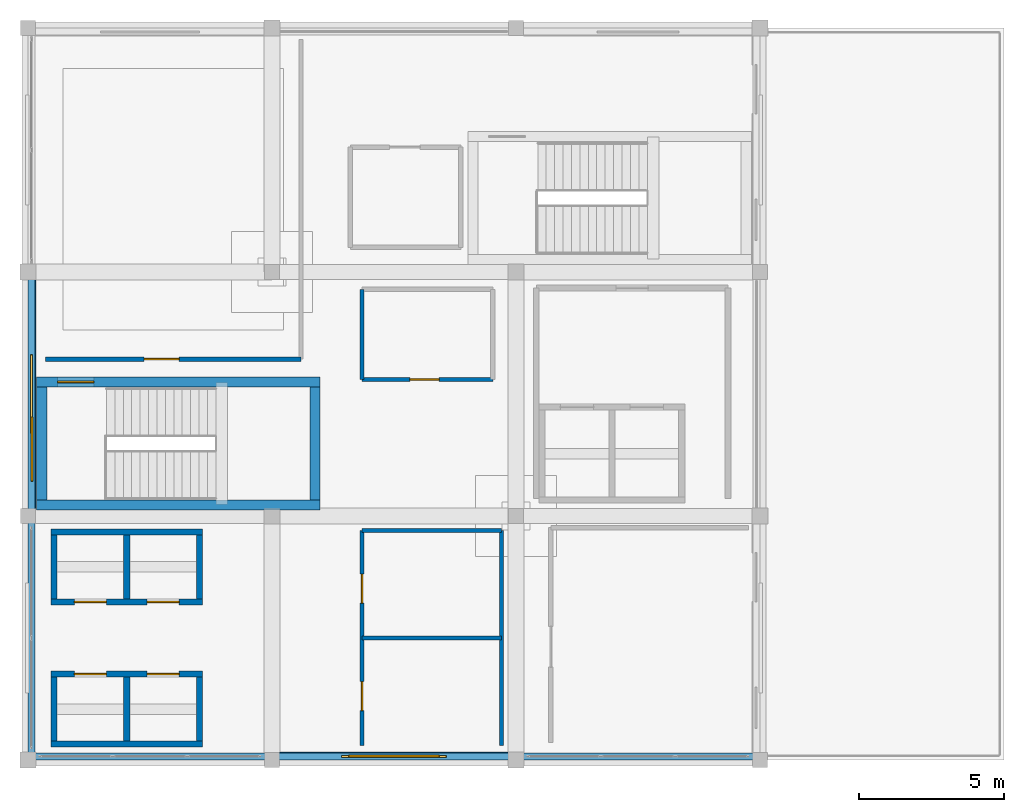
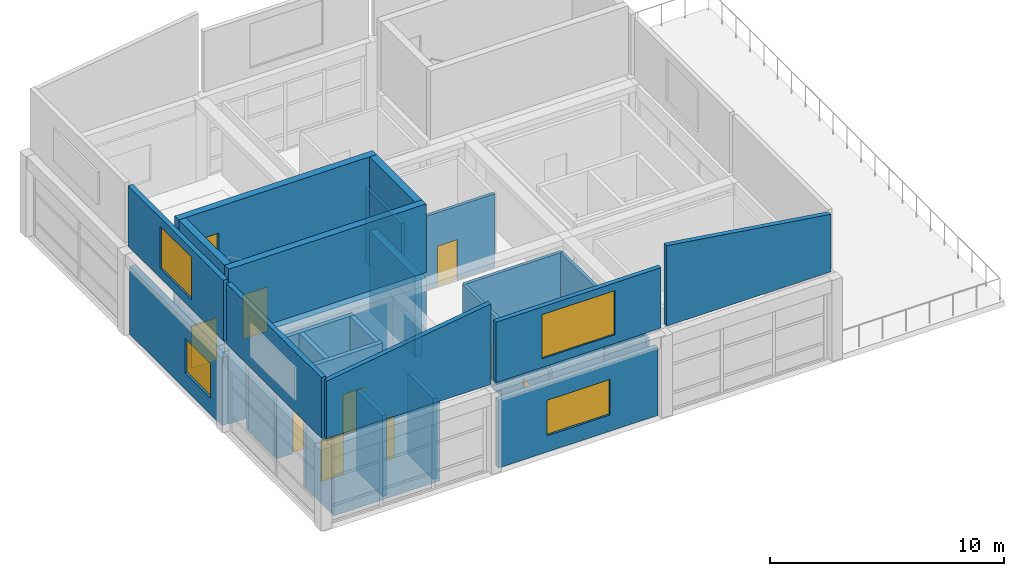
# One storey, part 14 of 17: 32 walls, 10 doors, 4 windows, 14 openings.
"""IFC4 building model written with IfcOpenShell, lengths in metres."""

from ifc_helpers import new_model, si_unit, direction, frame, frame_2d, origin, place, context, subcontext, project, spatial, polyline, rectangle, outline, extrude, material, layer, layer_set, type_object, element, fill, save


model = new_model("IFC4")

# Units and contexts
model_context = context("Model", 3, precision=1e-05, world=origin(), true_north=direction((0.0, 1.0)))
body_context = subcontext(model_context, "Body", "Model", "MODEL_VIEW")
ifc_project = project(units=[si_unit("LENGTHUNIT", "METRE"), si_unit("AREAUNIT", "SQUARE_METRE"), si_unit("VOLUMEUNIT", "CUBIC_METRE"), si_unit("PLANEANGLEUNIT", "RADIAN"), si_unit("MASSUNIT", "GRAM", prefix="KILO")], contexts=[model_context])

# Site, building, storey
site_placement = place(None, origin())
site = spatial("IfcSite", under=ifc_project, at=site_placement, CompositionType="ELEMENT")
building_placement = place(site_placement, origin())
building = spatial("IfcBuilding", under=site, at=building_placement, Name="Almacenes y Pasaje Nevantli", CompositionType="ELEMENT")
storey_placement = place(building_placement, frame((0.0, 0.0, 66.699951171875)))
storey = spatial("IfcBuildingStorey", under=building, at=storey_placement, Name="L16", CompositionType="ELEMENT", Elevation=66.699951171875)

# Wall
ifc_material_1 = material(Name="Concrete C45/55", Category="concrete")
ifc_layer_1 = layer(ifc_material_1, 0.35009765625)
ifc_layer_set_1 = layer_set([ifc_layer_1], Name="Concrete C45/55")
wall_type_1 = type_object("IfcWallType", Name="WL-CORE-350", PredefinedType="SHEAR", material=ifc_layer_set_1)
wall_1_placement = place(storey_placement, frame((117.89990234375, 75.97509765625, 0.0), z_axis=(0.0, 0.0, 1.0), x_axis=(1.0, 0.0, 0.0)))
element("IfcWall", 1, at=wall_1_placement, inside=storey, type_object=wall_type_1, Name="L16 Exit Stair ST-01 South Core Shear Wall", PredefinedType="SHEAR", context=body_context, shape_type="SweptSolid", body=[
    extrude(rectangle(XDim=9.75, YDim=0.35009765625, at=frame_2d((4.875, 0.0))), origin(), (0.0, 0.0, 1.0), 4.219970703125),
])

# Wall, opening, door
wall_2_placement = place(storey_placement, frame((117.89990234375, 80.215087890625, 0.0), z_axis=(0.0, 0.0, 1.0), x_axis=(1.0, 0.0, 0.0)))
wall_2 = element("IfcWall", 2, at=wall_2_placement, inside=storey, type_object=wall_type_1, Name="L16 Exit Stair ST-01 North Core Shear Wall", PredefinedType="SHEAR", context=body_context, shape_type="SweptSolid", body=[
    extrude(rectangle(XDim=9.75, YDim=0.35009765625, at=frame_2d((4.875, 0.0))), origin(), (0.0, 0.0, 1.0), 4.219970703125),
])
opening_1_placement = place(wall_2_placement, frame((0.719970703125, 0.0, 0.0)))
opening_1 = element("IfcOpeningElement", 3, at=opening_1_placement, cuts=wall_2, Name="Opening SD-01-L16", PredefinedType="OPENING", context=body_context, shape_type="SweptSolid", body=[
    extrude(rectangle(XDim=1.25, YDim=2.199951171875, at=frame_2d((0.625, 1.10009765625))), frame((0.0, 0.18505859375, 0.0), z_axis=(0.0, -1.0, 0.0), x_axis=(1.0, 0.0, 0.0)), (0.0, 0.0, 1.0), 0.3701171875),
])
ifc_material_2 = material(Name="Galvanized Fire-Rated Steel", Category="steel")
door_type_1 = type_object("IfcDoorType", Name="DR-STAIR-1250", OperationType="SINGLE_SWING_LEFT", PredefinedType="DOOR", material=ifc_material_2)
door_1_placement = place(opening_1_placement, origin())
door_1 = element("IfcDoor", 4, at=door_1_placement, inside=storey, type_object=door_type_1, Name="L16 Smokeproof Exit Stair ST-01 Fire Door", OperationType="SINGLE_SWING_LEFT", OverallHeight=2.199951171875, OverallWidth=1.25, PredefinedType="DOOR", context=body_context, shape_type="SweptSolid", body=[
    extrude(rectangle(XDim=1.25, YDim=2.199951171875, at=frame_2d((0.625, 1.10009765625))), frame((0.0, 0.02490234375, 0.0), z_axis=(0.0, -1.0, 0.0), x_axis=(1.0, 0.0, 0.0)), (0.0, 0.0, 1.0), 0.050048828125),
])
fill(opening_1, door_1)

# Walls
for number, where, z_axis, x_axis, name in (
    (5, (118.074951171875, 76.14990234375, 0.0), (0.0, 0.0, 1.0), (0.0, 1.0, 0.0), "L16 Exit Stair ST-01 West Core Shear Wall"),
    (6, (127.47509765625, 76.14990234375, 0.0), (0.0, 0.0, 1.0), (0.0, 1.0, 0.0), "L16 Exit Stair ST-01 East Core Shear Wall"),
):
    element("IfcWall", number, at=place(storey_placement, frame(where, z_axis=z_axis, x_axis=x_axis)), inside=storey, type_object=wall_type_1, Name=name, PredefinedType="SHEAR", context=body_context, shape_type="SweptSolid", body=[
        extrude(rectangle(XDim=3.89013671875, YDim=0.35009765625, at=frame_2d((1.945068359375, 0.0))), origin(), (0.0, 0.0, 1.0), 4.219970703125),
    ])
wall_3_placement = place(storey_placement, frame((117.89990234375, 75.97509765625, 4.5), z_axis=(0.0, 0.0, 1.0), x_axis=(1.0, 0.0, 0.0)))
element("IfcWall", 7, at=wall_3_placement, inside=storey, type_object=wall_type_1, Name="L16 Crown Stair ST-01 Headhouse South Wall", PredefinedType="SHEAR", context=body_context, shape_type="SweptSolid", body=[
    extrude(rectangle(XDim=9.75, YDim=0.35009765625, at=frame_2d((4.875, 0.0))), origin(), (0.0, 0.0, 1.0), 3.580078125),
])

# Wall, opening, door
wall_4_placement = place(storey_placement, frame((117.89990234375, 80.215087890625, 4.5), z_axis=(0.0, 0.0, 1.0), x_axis=(1.0, 0.0, 0.0)))
wall_4 = element("IfcWall", 8, at=wall_4_placement, inside=storey, type_object=wall_type_1, Name="L16 Crown Stair ST-01 Headhouse North Wall", PredefinedType="SHEAR", context=body_context, shape_type="SweptSolid", body=[
    extrude(rectangle(XDim=9.75, YDim=0.35009765625, at=frame_2d((4.875, 0.0))), origin(), (0.0, 0.0, 1.0), 3.580078125),
])
opening_2_placement = place(wall_4_placement, frame((0.719970703125, 0.0, 0.0)))
opening_2 = element("IfcOpeningElement", 9, at=opening_2_placement, cuts=wall_4, Name="Opening SD-01-CR", PredefinedType="OPENING", context=body_context, shape_type="SweptSolid", body=[
    extrude(rectangle(XDim=1.25, YDim=2.199951171875, at=frame_2d((0.625, 1.10009765625))), frame((0.0, 0.18505859375, 0.0), z_axis=(0.0, -1.0, 0.0), x_axis=(1.0, 0.0, 0.0)), (0.0, 0.0, 1.0), 0.3701171875),
])
door_2_placement = place(opening_2_placement, origin())
door_2 = element("IfcDoor", 10, at=door_2_placement, inside=storey, type_object=door_type_1, Name="L16 Crown Mechanical Penthouse Stair ST-01 Door", OperationType="SINGLE_SWING_LEFT", OverallHeight=2.199951171875, OverallWidth=1.25, PredefinedType="DOOR", context=body_context, shape_type="SweptSolid", body=[
    extrude(rectangle(XDim=1.25, YDim=2.199951171875, at=frame_2d((0.625, 1.10009765625))), frame((0.0, 0.02490234375, 0.0), z_axis=(0.0, -1.0, 0.0), x_axis=(1.0, 0.0, 0.0)), (0.0, 0.0, 1.0), 0.050048828125),
])
fill(opening_2, door_2)

# Walls
for number, where, z_axis, x_axis, name in (
    (11, (118.074951171875, 76.14990234375, 4.5), (0.0, 0.0, 1.0), (0.0, 1.0, 0.0), "L16 Crown Stair ST-01 Headhouse West Wall"),
    (12, (127.47509765625, 76.14990234375, 4.5), (0.0, 0.0, 1.0), (0.0, 1.0, 0.0), "L16 Crown Stair ST-01 Headhouse East Wall"),
):
    element("IfcWall", number, at=place(storey_placement, frame(where, z_axis=z_axis, x_axis=x_axis)), inside=storey, type_object=wall_type_1, Name=name, PredefinedType="SHEAR", context=body_context, shape_type="SweptSolid", body=[
        extrude(rectangle(XDim=3.89013671875, YDim=0.35009765625, at=frame_2d((1.945068359375, 0.0))), origin(), (0.0, 0.0, 1.0), 3.580078125),
    ])

# Wall, opening, window
ifc_material_3 = material(Name="Architectural Precast Concrete C35/45 Spandrel Wall", Category="concrete")
ifc_layer_2 = layer(ifc_material_3, 0.280029296875)
ifc_layer_set_2 = layer_set([ifc_layer_2], Name="Architectural Precast Concrete C35/45 Spandrel Wall")
wall_type_2 = type_object("IfcWallType", Name="WL-EXT-CANTERA-280", PredefinedType="SOLIDWALL", material=ifc_layer_set_2)
wall_5_placement = place(storey_placement, frame((117.739990234375, 75.85205078125, 0.0), z_axis=(0.0, 0.0, 1.0), x_axis=(0.0, 1.0, 0.0)))
wall_5 = element("IfcWall", 13, at=wall_5_placement, inside=storey, type_object=wall_type_2, Name="L16 Tower West Cantera Wall Bay 10", PredefinedType="SOLIDWALL", context=body_context, shape_type="SweptSolid", body=[
    extrude(rectangle(XDim=7.869873046875, YDim=0.280029296875, at=frame_2d((3.93505859375, 0.0))), origin(), (0.0, 0.0, 1.0), 3.5400390625),
])
opening_3_placement = place(wall_5_placement, frame((0.947998046875, 0.0, 0.85009765625)))
opening_3 = element("IfcOpeningElement", 14, at=opening_3_placement, cuts=wall_5, Name="Opening WT-31-286", PredefinedType="OPENING", context=body_context, shape_type="SweptSolid", body=[
    extrude(rectangle(XDim=2.199951171875, YDim=1.800048828125, at=frame_2d((1.10009765625, 0.89990234375))), frame((0.0, 0.14990234375, 0.0), z_axis=(0.0, -1.0, 0.0), x_axis=(1.0, 0.0, 0.0)), (0.0, 0.0, 1.0), 0.300048828125),
])
ifc_material_4 = material(Name="Thermally Broken Aluminium and Low-E Double Glazing", Category="aluminium")
window_type_1 = type_object("IfcWindowType", Name="WN-TWR-2200x1800", PartitioningType="SINGLE_PANEL", PredefinedType="WINDOW", material=ifc_material_4)
window_1_placement = place(opening_3_placement, origin())
window_1 = element("IfcWindow", 15, at=window_1_placement, inside=storey, type_object=window_type_1, Name="L16 Exterior Window WT-31 #286", OverallHeight=1.800048828125, OverallWidth=2.199951171875, PartitioningType="SINGLE_PANEL", PredefinedType="WINDOW", context=body_context, shape_type="SweptSolid", body=[
    extrude(rectangle(XDim=2.199951171875, YDim=1.800048828125, at=frame_2d((1.10009765625, 0.89990234375))), frame((0.0, 0.030029296875, 0.0), z_axis=(0.0, -1.0, 0.0), x_axis=(1.0, 0.0, 0.0)), (0.0, 0.0, 1.0), 0.06005859375),
])
fill(opening_3, window_1)

# Walls
ifc_material_5 = material(Name="Architectural Precast Concrete C35/45 Crown Wall", Category="concrete")
ifc_layer_3 = layer(ifc_material_5, 0.22998046875)
ifc_layer_set_3 = layer_set([ifc_layer_3], Name="Architectural Precast Concrete C35/45 Crown Wall")
wall_type_3 = type_object("IfcWallType", Name="WL-EXT-CROWN-230", PredefinedType="SOLIDWALL", material=ifc_layer_set_3)
wall_6_placement = place(storey_placement, frame((117.76611328125, 67.320068359375, 4.5), z_axis=(0.0, 0.0, 1.0), x_axis=(1.0, 0.0, 0.0)))
element("IfcWall", 16, at=wall_6_placement, inside=storey, type_object=wall_type_3, Name="L16 Broken-Pediment Crown South West Wing Wall", PredefinedType="SOLIDWALL", context=body_context, shape_type="SweptSolid", body=[
    extrude(outline(polyline([(0.0, 0.0), (8.10400390625, 0.0), (8.10400390625, 4.199951171875), (4.052001953125, 3.60009765625), (0.0, 3.0), (0.0, 0.0)])), frame((0.0, 0.114990234375, 0.0), z_axis=(0.0, -1.0, 0.0), x_axis=(1.0, 0.0, 0.0)), (0.0, 0.0, 1.0), 0.22998046875),
])
wall_7_placement = place(storey_placement, frame((134.530029296875, 67.320068359375, 4.5), z_axis=(0.0, 0.0, 1.0), x_axis=(1.0, 0.0, 0.0)))
element("IfcWall", 17, at=wall_7_placement, inside=storey, type_object=wall_type_3, Name="L16 Broken-Pediment Crown South East Wing Wall", PredefinedType="SOLIDWALL", context=body_context, shape_type="SweptSolid", body=[
    extrude(outline(polyline([(0.0, 0.0), (8.10400390625, 0.0), (8.10400390625, 3.0), (4.052001953125, 3.60009765625), (0.0, 4.199951171875), (0.0, 0.0)])), frame((0.0, 0.114990234375, 0.0), z_axis=(0.0, -1.0, 0.0), x_axis=(1.0, 0.0, 0.0)), (0.0, 0.0, 1.0), 0.22998046875),
])

# Wall, opening, window
wall_8_placement = place(storey_placement, frame((126.1298828125, 67.320068359375, 4.5), z_axis=(0.0, 0.0, 1.0), x_axis=(1.0, 0.0, 0.0)))
wall_8 = element("IfcWall", 18, at=wall_8_placement, inside=storey, type_object=wall_type_3, Name="L16 Broken-Pediment Crown South Central Oculus Wall", PredefinedType="SOLIDWALL", context=body_context, shape_type="SweptSolid", body=[
    extrude(rectangle(XDim=8.14013671875, YDim=0.22998046875, at=frame_2d((4.070068359375, 0.0))), origin(), (0.0, 0.0, 1.0), 3.150146484375),
])
opening_4_placement = place(wall_8_placement, frame((2.27001953125, 0.0, 0.449951171875)))
opening_4 = element("IfcOpeningElement", 19, at=opening_4_placement, cuts=wall_8, Name="Opening WT-01-289", PredefinedType="OPENING", context=body_context, shape_type="SweptSolid", body=[
    extrude(rectangle(XDim=3.60009765625, YDim=2.300048828125, at=frame_2d((1.800048828125, 1.14990234375))), frame((0.0, 0.125, 0.0), z_axis=(0.0, -1.0, 0.0), x_axis=(1.0, 0.0, 0.0)), (0.0, 0.0, 1.0), 0.25),
])
ifc_material_6 = material(Name="Thermally Broken Aluminium and Low-E Double Glazing", Category="aluminium")
window_type_2 = type_object("IfcWindowType", Name="WN-OCU-3600", PartitioningType="SINGLE_PANEL", PredefinedType="WINDOW", material=ifc_material_6)
window_2_placement = place(opening_4_placement, origin())
window_2 = element("IfcWindow", 20, at=window_2_placement, inside=storey, type_object=window_type_2, Name="L16 Exterior Window WT-01 #289", OverallHeight=2.300048828125, OverallWidth=3.60009765625, PartitioningType="SINGLE_PANEL", PredefinedType="WINDOW", context=body_context, shape_type="SweptSolid", body=[
    extrude(rectangle(XDim=3.60009765625, YDim=2.300048828125, at=frame_2d((1.800048828125, 1.14990234375))), frame((0.0, 0.030029296875, 0.0), z_axis=(0.0, -1.0, 0.0), x_axis=(1.0, 0.0, 0.0)), (0.0, 0.0, 1.0), 0.06005859375),
])
fill(opening_4, window_2)

# Wall
wall_9_placement = place(storey_placement, frame((117.719970703125, 67.365966796875, 4.5), z_axis=(0.0, 0.0, 1.0), x_axis=(0.0, 1.0, 0.0)))
element("IfcWall", 21, at=wall_9_placement, inside=storey, type_object=wall_type_3, Name="L16 Crown West Enclosure Wall Bay 1", PredefinedType="SOLIDWALL", context=body_context, shape_type="SweptSolid", body=[
    extrude(rectangle(XDim=8.10400390625, YDim=0.22998046875, at=frame_2d((4.052001953125, 0.0))), origin(), (0.0, 0.0, 1.0), 3.150146484375),
])

# Wall, opening, window
wall_10_placement = place(storey_placement, frame((117.719970703125, 75.72998046875, 4.5), z_axis=(0.0, 0.0, 1.0), x_axis=(0.0, 1.0, 0.0)))
wall_10 = element("IfcWall", 22, at=wall_10_placement, inside=storey, type_object=wall_type_3, Name="L16 Crown West Enclosure Wall Bay 2", PredefinedType="SOLIDWALL", context=body_context, shape_type="SweptSolid", body=[
    extrude(rectangle(XDim=8.14013671875, YDim=0.22998046875, at=frame_2d((4.070068359375, 0.0))), origin(), (0.0, 0.0, 1.0), 3.150146484375),
])
opening_5_placement = place(wall_10_placement, frame((2.719970703125, 0.0, 0.5)))
opening_5 = element("IfcOpeningElement", 23, at=opening_5_placement, cuts=wall_10, Name="Opening WT-04-290", PredefinedType="OPENING", context=body_context, shape_type="SweptSolid", body=[
    extrude(rectangle(XDim=2.699951171875, YDim=2.199951171875, at=frame_2d((1.35009765625, 1.10009765625))), frame((0.0, 0.125, 0.0), z_axis=(0.0, -1.0, 0.0), x_axis=(1.0, 0.0, 0.0)), (0.0, 0.0, 1.0), 0.25),
])
ifc_material_7 = material(Name="Thermally Broken Aluminium and Low-E Double Glazing", Category="aluminium")
window_type_3 = type_object("IfcWindowType", Name="WN-OCU-2700", PartitioningType="SINGLE_PANEL", PredefinedType="WINDOW", material=ifc_material_7)
window_3_placement = place(opening_5_placement, origin())
window_3 = element("IfcWindow", 24, at=window_3_placement, inside=storey, type_object=window_type_3, Name="L16 Exterior Window WT-04 #290", OverallHeight=2.199951171875, OverallWidth=2.699951171875, PartitioningType="SINGLE_PANEL", PredefinedType="WINDOW", context=body_context, shape_type="SweptSolid", body=[
    extrude(rectangle(XDim=2.699951171875, YDim=2.199951171875, at=frame_2d((1.35009765625, 1.10009765625))), frame((0.0, 0.030029296875, 0.0), z_axis=(0.0, -1.0, 0.0), x_axis=(1.0, 0.0, 0.0)), (0.0, 0.0, 1.0), 0.06005859375),
])
fill(opening_5, window_3)

ifc_material_8 = material(Name="Cream Architectural Precast Concrete C35/45 Wall", Category="concrete")
ifc_layer_4 = layer(ifc_material_8, 0.260009765625)
ifc_layer_set_4 = layer_set([ifc_layer_4], Name="Cream Architectural Precast Concrete C35/45 Wall")
wall_type_4 = type_object("IfcWallType", Name="WL-EXT-PRECAST-260", PredefinedType="SOLIDWALL", material=ifc_layer_set_4)
wall_11_placement = place(storey_placement, frame((126.25390625, 67.340087890625, 0.0), z_axis=(0.0, 0.0, 1.0), x_axis=(1.0, 0.0, 0.0)))
wall_11 = element("IfcWall", 25, at=wall_11_placement, inside=storey, type_object=wall_type_4, Name="L16 Tower South Precast Spandrel Wall Bay 16", PredefinedType="SOLIDWALL", context=body_context, shape_type="SweptSolid", body=[
    extrude(rectangle(XDim=7.8681640625, YDim=0.260009765625, at=frame_2d((3.93408203125, 0.0))), origin(), (0.0, 0.0, 1.0), 3.5400390625),
])
opening_6_placement = place(wall_11_placement, frame((2.39599609375, 0.0, 0.85009765625)))
opening_6 = element("IfcOpeningElement", 26, at=opening_6_placement, cuts=wall_11, Name="Opening WT-28-283", PredefinedType="OPENING", context=body_context, shape_type="SweptSolid", body=[
    extrude(rectangle(XDim=3.10009765625, YDim=1.85009765625, at=frame_2d((1.550048828125, 0.925048828125))), frame((0.0, 0.139892578125, 0.0), z_axis=(0.0, -1.0, 0.0), x_axis=(1.0, 0.0, 0.0)), (0.0, 0.0, 1.0), 0.280029296875),
])
ifc_material_9 = material(Name="Thermally Broken Aluminium and Low-E Double Glazing", Category="aluminium")
window_type_4 = type_object("IfcWindowType", Name="WN-TWR-3100x1850", PartitioningType="SINGLE_PANEL", PredefinedType="WINDOW", material=ifc_material_9)
window_4_placement = place(opening_6_placement, origin())
window_4 = element("IfcWindow", 27, at=window_4_placement, inside=storey, type_object=window_type_4, Name="L16 Exterior Window WT-28 #283", OverallHeight=1.85009765625, OverallWidth=3.10009765625, PartitioningType="SINGLE_PANEL", PredefinedType="WINDOW", context=body_context, shape_type="SweptSolid", body=[
    extrude(rectangle(XDim=3.10009765625, YDim=1.85009765625, at=frame_2d((1.550048828125, 0.925048828125))), frame((0.0, 0.030029296875, 0.0), z_axis=(0.0, -1.0, 0.0), x_axis=(1.0, 0.0, 0.0)), (0.0, 0.0, 1.0), 0.06005859375),
])
fill(opening_6, window_4)

# Wall, opening, door
ifc_material_10 = material(Name="Acoustic Steel-Stud Gypsum Partition", Category="steel")
ifc_layer_5 = layer(ifc_material_10, 0.14990234375)
ifc_layer_set_5 = layer_set([ifc_layer_5], Name="Acoustic Steel-Stud Gypsum Partition")
wall_type_5 = type_object("IfcWallType", Name="WL-PART-150", PredefinedType="PARTITIONING", material=ifc_layer_set_5)
wall_12_placement = place(storey_placement, frame((129.10009765625, 80.300048828125, 0.0), z_axis=(0.0, 0.0, 1.0), x_axis=(1.0, 0.0, 0.0)))
wall_12 = element("IfcWall", 28, at=wall_12_placement, inside=storey, type_object=wall_type_5, Name="L16 Interior Partition Wall IW-150 #279", PredefinedType="PARTITIONING", context=body_context, shape_type="SweptSolid", body=[
    extrude(rectangle(XDim=4.5, YDim=0.14990234375, at=frame_2d((2.25, 0.0))), origin(), (0.0, 0.0, 1.0), 3.840087890625),
])
opening_7_placement = place(wall_12_placement, frame((1.64990234375, 0.0, 0.0)))
opening_7 = element("IfcOpeningElement", 29, at=opening_7_placement, cuts=wall_12, Name="Opening ID-L16-146", PredefinedType="OPENING", context=body_context, shape_type="SweptSolid", body=[
    extrude(rectangle(XDim=1.0, YDim=2.10009765625, at=frame_2d((0.5, 1.050048828125))), frame((0.0, 0.0849609375, 0.0), z_axis=(0.0, -1.0, 0.0), x_axis=(1.0, 0.0, 0.0)), (0.0, 0.0, 1.0), 0.169921875),
])
ifc_material_11 = material(Name="Powder-Coated Hollow Metal", Category="steel")
door_type_2 = type_object("IfcDoorType", Name="DR-INT-1000", OperationType="SINGLE_SWING_LEFT", PredefinedType="DOOR", material=ifc_material_11)
door_3_placement = place(opening_7_placement, origin())
door_3 = element("IfcDoor", 30, at=door_3_placement, inside=storey, type_object=door_type_2, Name="L16 Staff and Public WC Door", OperationType="SINGLE_SWING_LEFT", OverallHeight=2.10009765625, OverallWidth=1.0, PredefinedType="DOOR", context=body_context, shape_type="SweptSolid", body=[
    extrude(rectangle(XDim=1.0, YDim=2.10009765625, at=frame_2d((0.5, 1.050048828125))), frame((0.0, 0.02490234375, 0.0), z_axis=(0.0, -1.0, 0.0), x_axis=(1.0, 0.0, 0.0)), (0.0, 0.0, 1.0), 0.050048828125),
])
fill(opening_7, door_3)

# Wall
wall_13_placement = place(storey_placement, frame((129.10009765625, 80.300048828125, 0.0), z_axis=(0.0, 0.0, 1.0), x_axis=(0.0, 1.0, 0.0)))
element("IfcWall", 31, at=wall_13_placement, inside=storey, type_object=wall_type_5, Name="L16 Interior Partition Wall IW-150 #281", PredefinedType="PARTITIONING", context=body_context, shape_type="SweptSolid", body=[
    extrude(rectangle(XDim=3.099853515625, YDim=0.14990234375, at=frame_2d((1.5498046875, 0.0))), origin(), (0.0, 0.0, 1.0), 3.840087890625),
])

# Wall, openings, doors
wall_14_placement = place(storey_placement, frame((129.10009765625, 67.699951171875, 0.0), z_axis=(0.0, 0.0, 1.0), x_axis=(0.0, 1.0, 0.0)))
wall_14 = element("IfcWall", 32, at=wall_14_placement, inside=storey, type_object=wall_type_5, Name="L16 Interior Partition Wall IW-150 #287", PredefinedType="PARTITIONING", context=body_context, shape_type="SweptSolid", body=[
    extrude(rectangle(XDim=7.400146484375, YDim=0.14990234375, at=frame_2d((3.7001953125, 0.0))), origin(), (0.0, 0.0, 1.0), 3.840087890625),
])
opening_8_placement = place(wall_14_placement, frame((1.199951171875, 0.0, 0.0)))
opening_8 = element("IfcOpeningElement", 33, at=opening_8_placement, cuts=wall_14, Name="Opening ID-L16-148", PredefinedType="OPENING", context=body_context, shape_type="SweptSolid", body=[
    extrude(rectangle(XDim=1.0, YDim=2.10009765625, at=frame_2d((0.5, 1.050048828125))), frame((0.0, 0.0849609375, 0.0), z_axis=(0.0, -1.0, 0.0), x_axis=(1.0, 0.0, 0.0)), (0.0, 0.0, 1.0), 0.169921875),
])
opening_9_placement = place(wall_14_placement, frame((4.89990234375, 0.0, 0.0)))
opening_9 = element("IfcOpeningElement", 34, at=opening_9_placement, cuts=wall_14, Name="Opening ID-L16-149", PredefinedType="OPENING", context=body_context, shape_type="SweptSolid", body=[
    extrude(rectangle(XDim=1.0, YDim=2.10009765625, at=frame_2d((0.5, 1.050048828125))), frame((0.0, 0.0849609375, 0.0), z_axis=(0.0, -1.0, 0.0), x_axis=(1.0, 0.0, 0.0)), (0.0, 0.0, 1.0), 0.169921875),
])
door_4_placement = place(opening_8_placement, origin())
door_4 = element("IfcDoor", 35, at=door_4_placement, inside=storey, type_object=door_type_2, Name="L16 Archive Room Door", OperationType="SINGLE_SWING_LEFT", OverallHeight=2.10009765625, OverallWidth=1.0, PredefinedType="DOOR", context=body_context, shape_type="SweptSolid", body=[
    extrude(rectangle(XDim=1.0, YDim=2.10009765625, at=frame_2d((0.5, 1.050048828125))), frame((0.0, 0.02490234375, 0.0), z_axis=(0.0, -1.0, 0.0), x_axis=(1.0, 0.0, 0.0)), (0.0, 0.0, 1.0), 0.050048828125),
])
fill(opening_8, door_4)
ifc_material_12 = material(Name="Powder-Coated Hollow Metal", Category="steel")
door_type_3 = type_object("IfcDoorType", Name="DR-INT-1000R", OperationType="SINGLE_SWING_RIGHT", PredefinedType="DOOR", material=ifc_material_12)
door_5_placement = place(opening_9_placement, origin())
door_5 = element("IfcDoor", 36, at=door_5_placement, inside=storey, type_object=door_type_3, Name="L16 IT Server Room Door", OperationType="SINGLE_SWING_RIGHT", OverallHeight=2.10009765625, OverallWidth=1.0, PredefinedType="DOOR", context=body_context, shape_type="SweptSolid", body=[
    extrude(rectangle(XDim=1.0, YDim=2.10009765625, at=frame_2d((0.5, 1.050048828125))), frame((0.0, 0.02490234375, 0.0), z_axis=(0.0, -1.0, 0.0), x_axis=(1.0, 0.0, 0.0)), (0.0, 0.0, 1.0), 0.050048828125),
])
fill(opening_9, door_5)

# Walls
wall_15_placement = place(storey_placement, frame((129.10009765625, 71.39990234375, 0.0), z_axis=(0.0, 0.0, 1.0), x_axis=(1.0, 0.0, 0.0)))
element("IfcWall", 37, at=wall_15_placement, inside=storey, type_object=wall_type_5, Name="L16 Interior Partition Wall IW-150 #288", PredefinedType="PARTITIONING", context=body_context, shape_type="SweptSolid", body=[
    extrude(rectangle(XDim=4.7998046875, YDim=0.14990234375, at=frame_2d((2.39990234375, 0.0))), origin(), (0.0, 0.0, 1.0), 3.840087890625),
])
wall_16_placement = place(storey_placement, frame((133.89990234375, 67.699951171875, 0.0), z_axis=(0.0, 0.0, 1.0), x_axis=(0.0, 1.0, 0.0)))
element("IfcWall", 38, at=wall_16_placement, inside=storey, type_object=wall_type_5, Name="L16 Interior Partition Wall IW-150 #289", PredefinedType="PARTITIONING", context=body_context, shape_type="SweptSolid", body=[
    extrude(rectangle(XDim=7.400146484375, YDim=0.14990234375, at=frame_2d((3.7001953125, 0.0))), origin(), (0.0, 0.0, 1.0), 3.840087890625),
])
wall_17_placement = place(storey_placement, frame((129.10009765625, 75.10009765625, 0.0), z_axis=(0.0, 0.0, 1.0), x_axis=(1.0, 0.0, 0.0)))
element("IfcWall", 39, at=wall_17_placement, inside=storey, type_object=wall_type_5, Name="L16 Interior Partition Wall IW-150 #290", PredefinedType="PARTITIONING", context=body_context, shape_type="SweptSolid", body=[
    extrude(rectangle(XDim=4.7998046875, YDim=0.14990234375, at=frame_2d((2.39990234375, 0.0))), origin(), (0.0, 0.0, 1.0), 3.840087890625),
])

# Wall, opening, door
wall_18_placement = place(storey_placement, frame((118.199951171875, 81.0, 0.0), z_axis=(0.0, 0.0, 1.0), x_axis=(1.0, 0.0, 0.0)))
wall_18 = element("IfcWall", 40, at=wall_18_placement, inside=storey, type_object=wall_type_5, Name="L16 Interior Partition Wall IW-150 #291", PredefinedType="PARTITIONING", context=body_context, shape_type="SweptSolid", body=[
    extrude(rectangle(XDim=8.800048828125, YDim=0.14990234375, at=frame_2d((4.39990234375, 0.0))), origin(), (0.0, 0.0, 1.0), 3.840087890625),
])
opening_10_placement = place(wall_18_placement, frame((3.39990234375, 0.0, 0.0)))
opening_10 = element("IfcOpeningElement", 41, at=opening_10_placement, cuts=wall_18, Name="Opening ID-L16-150", PredefinedType="OPENING", context=body_context, shape_type="SweptSolid", body=[
    extrude(rectangle(XDim=1.199951171875, YDim=2.300048828125, at=frame_2d((0.60009765625, 1.14990234375))), frame((0.0, 0.0849609375, 0.0), z_axis=(0.0, -1.0, 0.0), x_axis=(1.0, 0.0, 0.0)), (0.0, 0.0, 1.0), 0.169921875),
])
ifc_material_13 = material(Name="Anodized Aluminium and Tempered Acoustic Glass", Category="aluminium")
door_type_4 = type_object("IfcDoorType", Name="DR-ACU-1200", OperationType="SINGLE_SWING_LEFT", PredefinedType="DOOR", material=ifc_material_13)
door_6_placement = place(opening_10_placement, origin())
door_6 = element("IfcDoor", 42, at=door_6_placement, inside=storey, type_object=door_type_4, Name="L16 L16 Auditorium Door", OperationType="SINGLE_SWING_LEFT", OverallHeight=2.300048828125, OverallWidth=1.199951171875, PredefinedType="DOOR", context=body_context, shape_type="SweptSolid", body=[
    extrude(rectangle(XDim=1.199951171875, YDim=2.300048828125, at=frame_2d((0.60009765625, 1.14990234375))), frame((0.0, 0.02490234375, 0.0), z_axis=(0.0, -1.0, 0.0), x_axis=(1.0, 0.0, 0.0)), (0.0, 0.0, 1.0), 0.050048828125),
])
fill(opening_10, door_6)

# Wall
ifc_material_14 = material(Name="Concrete C45/55", Category="concrete")
ifc_layer_6 = layer(ifc_material_14, 0.2099609375)
ifc_layer_set_6 = layer_set([ifc_layer_6], Name="Concrete C45/55")
wall_type_6 = type_object("IfcWallType", Name="WL-SHAFT-210", PredefinedType="SHEAR", material=ifc_layer_set_6)
wall_19_placement = place(storey_placement, frame((118.389892578125, 67.7451171875, 0.0), z_axis=(0.0, 0.0, 1.0), x_axis=(1.0, 0.0, 0.0)))
element("IfcWall", 43, at=wall_19_placement, inside=storey, type_object=wall_type_6, Name="L16 Lift Hoistway ELV-P05-ELV-P06 South Wall", PredefinedType="SHEAR", context=body_context, shape_type="SweptSolid", body=[
    extrude(rectangle(XDim=5.22021484375, YDim=0.2099609375, at=frame_2d((2.610107421875, 0.0))), origin(), (0.0, 0.0, 1.0), 4.219970703125),
])

# Wall, openings, doors
wall_20_placement = place(storey_placement, frame((118.389892578125, 70.155029296875, 0.0), z_axis=(0.0, 0.0, 1.0), x_axis=(1.0, 0.0, 0.0)))
wall_20 = element("IfcWall", 44, at=wall_20_placement, inside=storey, type_object=wall_type_6, Name="L16 Lift Hoistway ELV-P05-ELV-P06 North Wall", PredefinedType="SHEAR", context=body_context, shape_type="SweptSolid", body=[
    extrude(rectangle(XDim=5.22021484375, YDim=0.2099609375, at=frame_2d((2.610107421875, 0.0))), origin(), (0.0, 0.0, 1.0), 4.219970703125),
])
opening_11_placement = place(wall_20_placement, frame((0.81005859375, 0.0, 0.0)))
opening_11 = element("IfcOpeningElement", 45, at=opening_11_placement, cuts=wall_20, Name="Opening LD-P05-L16", PredefinedType="OPENING", context=body_context, shape_type="SweptSolid", body=[
    extrude(rectangle(XDim=1.10009765625, YDim=2.14990234375, at=frame_2d((0.550048828125, 1.074951171875))), frame((0.0, 0.114990234375, 0.0), z_axis=(0.0, -1.0, 0.0), x_axis=(1.0, 0.0, 0.0)), (0.0, 0.0, 1.0), 0.22998046875),
])
opening_12_placement = place(wall_20_placement, frame((3.31005859375, 0.0, 0.0)))
opening_12 = element("IfcOpeningElement", 46, at=opening_12_placement, cuts=wall_20, Name="Opening LD-P06-L16", PredefinedType="OPENING", context=body_context, shape_type="SweptSolid", body=[
    extrude(rectangle(XDim=1.10009765625, YDim=2.14990234375, at=frame_2d((0.550048828125, 1.074951171875))), frame((0.0, 0.114990234375, 0.0), z_axis=(0.0, -1.0, 0.0), x_axis=(1.0, 0.0, 0.0)), (0.0, 0.0, 1.0), 0.22998046875),
])
ifc_material_15 = material(Name="Brushed Stainless Steel", Category="steel")
door_type_5 = type_object("IfcDoorType", Name="DR-LD-PASS-1100", OperationType="DOUBLE_DOOR_SLIDING", PredefinedType="DOOR", material=ifc_material_15)
door_7_placement = place(opening_11_placement, origin())
door_7 = element("IfcDoor", 47, at=door_7_placement, inside=storey, type_object=door_type_5, Name="Lift Landing Door ELV-P05 L16", OperationType="DOUBLE_DOOR_SLIDING", OverallHeight=2.14990234375, OverallWidth=1.10009765625, PredefinedType="DOOR", context=body_context, shape_type="SweptSolid", body=[
    extrude(rectangle(XDim=1.10009765625, YDim=2.14990234375, at=frame_2d((0.550048828125, 1.074951171875))), frame((0.0, 0.02490234375, 0.0), z_axis=(0.0, -1.0, 0.0), x_axis=(1.0, 0.0, 0.0)), (0.0, 0.0, 1.0), 0.050048828125),
])
fill(opening_11, door_7)
door_8_placement = place(opening_12_placement, origin())
door_8 = element("IfcDoor", 48, at=door_8_placement, inside=storey, type_object=door_type_5, Name="Lift Landing Door ELV-P06 L16", OperationType="DOUBLE_DOOR_SLIDING", OverallHeight=2.14990234375, OverallWidth=1.10009765625, PredefinedType="DOOR", context=body_context, shape_type="SweptSolid", body=[
    extrude(rectangle(XDim=1.10009765625, YDim=2.14990234375, at=frame_2d((0.550048828125, 1.074951171875))), frame((0.0, 0.02490234375, 0.0), z_axis=(0.0, -1.0, 0.0), x_axis=(1.0, 0.0, 0.0)), (0.0, 0.0, 1.0), 0.050048828125),
])
fill(opening_12, door_8)

# Walls
for number, where, z_axis, x_axis, name in (
    (49, (118.4951171875, 67.85009765625, 0.0), (0.0, 0.0, 1.0), (0.0, 1.0, 0.0), "L16 Lift Hoistway ELV-P05 West Wall"),
    (50, (123.5048828125, 67.85009765625, 0.0), (0.0, 0.0, 1.0), (0.0, 1.0, 0.0), "L16 Lift Hoistway ELV-P06 East Wall"),
    (51, (121.0, 67.85009765625, 0.0), (0.0, 0.0, 1.0), (0.0, 1.0, 0.0), "L16 Lift Hoistway Divider Wall ELV-P05/ELV-P06"),
):
    element("IfcWall", number, at=place(storey_placement, frame(where, z_axis=z_axis, x_axis=x_axis)), inside=storey, type_object=wall_type_6, Name=name, PredefinedType="SHEAR", context=body_context, shape_type="SweptSolid", body=[
        extrude(rectangle(XDim=2.199951171875, YDim=0.2099609375, at=frame_2d((1.10009765625, 0.0))), origin(), (0.0, 0.0, 1.0), 4.219970703125),
    ])

# Wall, openings, doors
wall_21_placement = place(storey_placement, frame((118.389892578125, 72.64501953125, 0.0), z_axis=(0.0, 0.0, 1.0), x_axis=(1.0, 0.0, 0.0)))
wall_21 = element("IfcWall", 52, at=wall_21_placement, inside=storey, type_object=wall_type_6, Name="L16 Lift Hoistway ELV-P07-ELV-P08 South Wall", PredefinedType="SHEAR", context=body_context, shape_type="SweptSolid", body=[
    extrude(rectangle(XDim=5.22021484375, YDim=0.2099609375, at=frame_2d((2.610107421875, 0.0))), origin(), (0.0, 0.0, 1.0), 4.219970703125),
])
opening_13_placement = place(wall_21_placement, frame((0.81005859375, 0.0, 0.0)))
opening_13 = element("IfcOpeningElement", 53, at=opening_13_placement, cuts=wall_21, Name="Opening LD-P07-L16", PredefinedType="OPENING", context=body_context, shape_type="SweptSolid", body=[
    extrude(rectangle(XDim=1.10009765625, YDim=2.14990234375, at=frame_2d((0.550048828125, 1.074951171875))), frame((0.0, 0.114990234375, 0.0), z_axis=(0.0, -1.0, 0.0), x_axis=(1.0, 0.0, 0.0)), (0.0, 0.0, 1.0), 0.22998046875),
])
opening_14_placement = place(wall_21_placement, frame((3.31005859375, 0.0, 0.0)))
opening_14 = element("IfcOpeningElement", 54, at=opening_14_placement, cuts=wall_21, Name="Opening LD-P08-L16", PredefinedType="OPENING", context=body_context, shape_type="SweptSolid", body=[
    extrude(rectangle(XDim=1.10009765625, YDim=2.14990234375, at=frame_2d((0.550048828125, 1.074951171875))), frame((0.0, 0.114990234375, 0.0), z_axis=(0.0, -1.0, 0.0), x_axis=(1.0, 0.0, 0.0)), (0.0, 0.0, 1.0), 0.22998046875),
])
door_9_placement = place(opening_13_placement, origin())
door_9 = element("IfcDoor", 55, at=door_9_placement, inside=storey, type_object=door_type_5, Name="Lift Landing Door ELV-P07 L16", OperationType="DOUBLE_DOOR_SLIDING", OverallHeight=2.14990234375, OverallWidth=1.10009765625, PredefinedType="DOOR", context=body_context, shape_type="SweptSolid", body=[
    extrude(rectangle(XDim=1.10009765625, YDim=2.14990234375, at=frame_2d((0.550048828125, 1.074951171875))), frame((0.0, 0.02490234375, 0.0), z_axis=(0.0, -1.0, 0.0), x_axis=(1.0, 0.0, 0.0)), (0.0, 0.0, 1.0), 0.050048828125),
])
fill(opening_13, door_9)
door_10_placement = place(opening_14_placement, origin())
door_10 = element("IfcDoor", 56, at=door_10_placement, inside=storey, type_object=door_type_5, Name="Lift Landing Door ELV-P08 L16", OperationType="DOUBLE_DOOR_SLIDING", OverallHeight=2.14990234375, OverallWidth=1.10009765625, PredefinedType="DOOR", context=body_context, shape_type="SweptSolid", body=[
    extrude(rectangle(XDim=1.10009765625, YDim=2.14990234375, at=frame_2d((0.550048828125, 1.074951171875))), frame((0.0, 0.02490234375, 0.0), z_axis=(0.0, -1.0, 0.0), x_axis=(1.0, 0.0, 0.0)), (0.0, 0.0, 1.0), 0.050048828125),
])
fill(opening_14, door_10)

# Walls
wall_22_placement = place(storey_placement, frame((118.389892578125, 75.054931640625, 0.0), z_axis=(0.0, 0.0, 1.0), x_axis=(1.0, 0.0, 0.0)))
element("IfcWall", 57, at=wall_22_placement, inside=storey, type_object=wall_type_6, Name="L16 Lift Hoistway ELV-P07-ELV-P08 North Wall", PredefinedType="SHEAR", context=body_context, shape_type="SweptSolid", body=[
    extrude(rectangle(XDim=5.22021484375, YDim=0.2099609375, at=frame_2d((2.610107421875, 0.0))), origin(), (0.0, 0.0, 1.0), 4.219970703125),
])
for number, where, z_axis, x_axis, name in (
    (58, (118.4951171875, 72.75, 0.0), (0.0, 0.0, 1.0), (0.0, 1.0, 0.0), "L16 Lift Hoistway ELV-P07 West Wall"),
    (59, (123.5048828125, 72.75, 0.0), (0.0, 0.0, 1.0), (0.0, 1.0, 0.0), "L16 Lift Hoistway ELV-P08 East Wall"),
    (60, (121.0, 72.75, 0.0), (0.0, 0.0, 1.0), (0.0, 1.0, 0.0), "L16 Lift Hoistway Divider Wall ELV-P07/ELV-P08"),
):
    element("IfcWall", number, at=place(storey_placement, frame(where, z_axis=z_axis, x_axis=x_axis)), inside=storey, type_object=wall_type_6, Name=name, PredefinedType="SHEAR", context=body_context, shape_type="SweptSolid", body=[
        extrude(rectangle(XDim=2.199951171875, YDim=0.2099609375, at=frame_2d((1.10009765625, 0.0))), origin(), (0.0, 0.0, 1.0), 4.219970703125),
    ])

save(model, "model.ifc")
